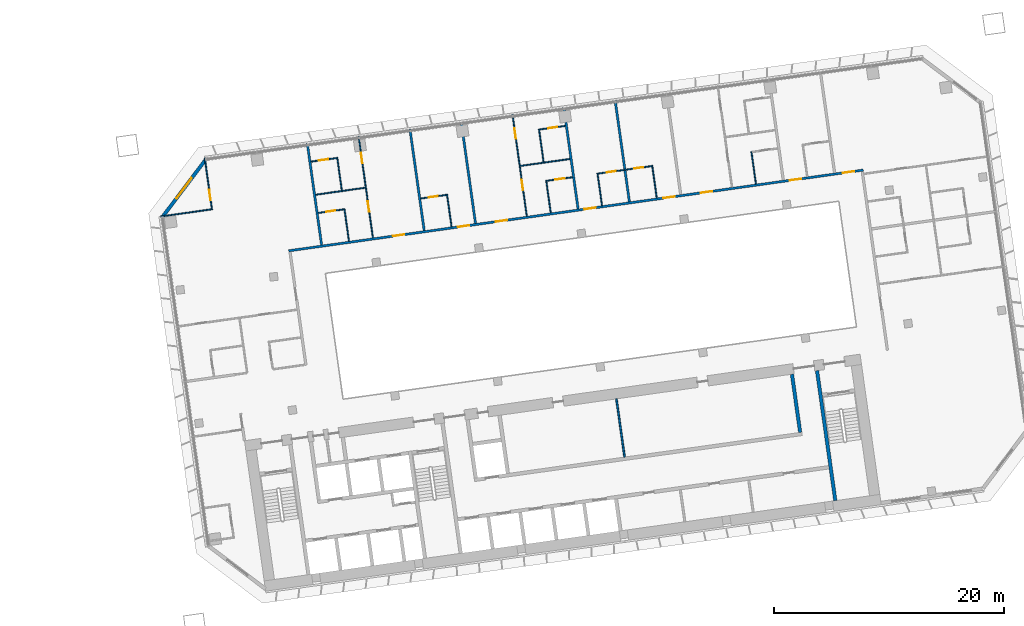
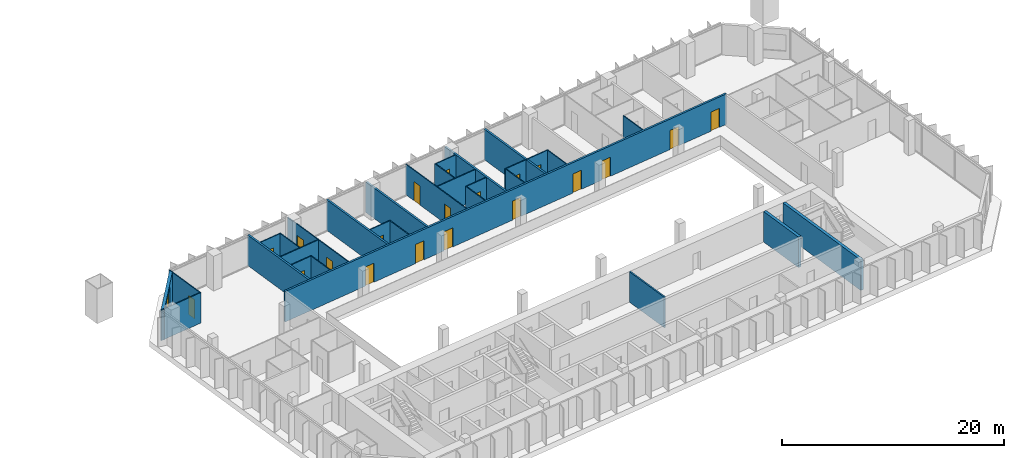
# One storey, part 21 of 25: 30 walls, 20 doors, 1 window, 21 openings.
"""IFC4 building model written with IfcOpenShell, lengths in metres."""

import ifcopenshell
import ifcopenshell.guid

model = None  # the IFC model being written
_history = None  # IfcOwnerHistory: only IFC2X3 demands one
_inside = {}  # id of a spatial element -> (the spatial element, [elements in it])
_under = {}  # id of a project, library or spatial element -> (it, [spatial elements below it])
_declared = {}  # id of a project -> (the project, [libraries it declares])
_typed = {}  # id of a type object -> (the type object, [elements of that type])
_made_of = {}  # id of a material, layer set ... -> (it, [elements and type objects made of it])


def new_model(schema):
    """Start an empty IFC model of exactly this schema.

    Asked for "IFC4X3", IfcOpenShell would pick the latest addendum, in which some entities
    have other attributes; the version numbers below select the first issue.
    IFC2X3 requires an IfcOwnerHistory on every rooted entity: one is made here for all.
    """
    global model, _history
    if schema == "IFC4X3":
        model = ifcopenshell.file(schema_version=(4, 3, 0, 0))
    else:
        model = ifcopenshell.file(schema=schema)
    _inside.clear()
    _under.clear()
    _declared.clear()
    _typed.clear()
    _made_of.clear()
    _history = None
    if model.schema == "IFC2X3":
        org = make("IfcOrganization", Name="unknown")
        user = make(
            "IfcPersonAndOrganization",
            ThePerson=make("IfcPerson", FamilyName="unknown"),
            TheOrganization=org,
        )
        app = make(
            "IfcApplication",
            ApplicationDeveloper=org,
            Version="unknown",
            ApplicationFullName="unknown",
            ApplicationIdentifier="unknown",
        )
        _history = make(
            "IfcOwnerHistory",
            OwningUser=user,
            OwningApplication=app,
            ChangeAction="ADDED",
            CreationDate=0,
        )
    return model


def make(cls, **values):
    """One entity of the class cls with the attributes given. An attribute that is None is left unset."""
    return model.create_entity(
        cls, **{name: value for name, value in values.items() if value is not None}
    )


def rooted(cls, **values):
    """An entity with a GlobalId (a new one), such as an element, a storey or a relation."""
    return make(cls, GlobalId=ifcopenshell.guid.new(), OwnerHistory=_history, **values)


def si_unit(unit_type, name, prefix=None):
    """IfcSIUnit, for example si_unit("LENGTHUNIT", "METRE", prefix="MILLI")."""
    return make("IfcSIUnit", UnitType=unit_type, Prefix=prefix, Name=name)


def assignment(units):
    """IfcUnitAssignment: the units of a project."""
    return None if units is None else make("IfcUnitAssignment", Units=units)


def point(xyz):
    """IfcCartesianPoint."""
    return None if xyz is None else make("IfcCartesianPoint", Coordinates=xyz)


def direction(xyz):
    """IfcDirection."""
    return None if xyz is None else make("IfcDirection", DirectionRatios=xyz)


def frame(location, z_axis=None, x_axis=None):
    """IfcAxis2Placement3D, a coordinate frame: its origin and axes. An axis left out is left unset."""
    return make(
        "IfcAxis2Placement3D",
        Location=point(location),
        Axis=direction(z_axis),
        RefDirection=direction(x_axis),
    )


def frame_2d(location, x_axis=None):
    """IfcAxis2Placement2D, a coordinate frame in the plane: its origin and x axis."""
    return make(
        "IfcAxis2Placement2D", Location=point(location), RefDirection=direction(x_axis)
    )


def origin():
    """The frame at (0, 0, 0) with its axes left unset."""
    return frame((0.0, 0.0, 0.0))


def place(relative_to, where):
    """IfcLocalPlacement: puts the frame where relative to a parent placement (None: the world)."""
    return make(
        "IfcLocalPlacement", PlacementRelTo=relative_to, RelativePlacement=where
    )


def context(
    kind, dimensions, precision=None, world=None, true_north=None, identifier=None
):
    """IfcGeometricRepresentationContext, for example the 3D "Model" context."""
    return make(
        "IfcGeometricRepresentationContext",
        ContextIdentifier=identifier,
        ContextType=kind,
        CoordinateSpaceDimension=dimensions,
        Precision=precision,
        WorldCoordinateSystem=world,
        TrueNorth=true_north,
    )


def subcontext(parent, identifier, kind, view, scale=None):
    """IfcGeometricRepresentationSubContext, for example "Body" below "Model"."""
    return make(
        "IfcGeometricRepresentationSubContext",
        ContextIdentifier=identifier,
        ContextType=kind,
        ParentContext=parent,
        TargetScale=scale,
        TargetView=view,
    )


def project(units=None, contexts=None):
    """IfcProject with its units and contexts."""
    return rooted(
        "IfcProject",
        Name="project",
        RepresentationContexts=contexts,
        UnitsInContext=assignment(units),
    )


def spatial(cls, under=None, at=None, **own):
    """A site, building, storey or space (cls), placed at a placement, below another one or the project."""
    s = rooted(cls, ObjectPlacement=at, **own)
    if under is not None:
        _under.setdefault(under.id(), (under, []))[1].append(s)
    return s


def profile(cls, at=None, kind="AREA", **sizes):
    """A parametric profile (cls). Its sizes go by their IFC names, for example OverallWidth=200.0."""
    return make(cls, ProfileType=kind, Position=at, **sizes)


def rectangle(**sizes):
    """IfcRectangleProfileDef."""
    return profile("IfcRectangleProfileDef", **sizes)


def extrude(swept, where, along, depth):
    """IfcExtrudedAreaSolid: the profile swept, set in the frame where, extruded along a direction by depth."""
    return make(
        "IfcExtrudedAreaSolid",
        SweptArea=swept,
        Position=where,
        ExtrudedDirection=direction(along),
        Depth=depth,
    )


def shape(context_of_items, identifier, shape_type, items):
    """IfcShapeRepresentation: the items that make up one representation, for example the "Body"."""
    return make(
        "IfcShapeRepresentation",
        ContextOfItems=context_of_items,
        RepresentationIdentifier=identifier,
        RepresentationType=shape_type,
        Items=items,
    )


def material(Name=None, Category=None):
    """IfcMaterial."""
    return make("IfcMaterial", Name=Name, Category=Category)


def layer(
    of_material, thickness, ventilated=None, Name=None, Category=None, Priority=None
):
    """IfcMaterialLayer: one layer of a wall or slab, of a material (None: an air gap)."""
    return make(
        "IfcMaterialLayer",
        Material=of_material,
        LayerThickness=thickness,
        IsVentilated=ventilated,
        Name=Name,
        Category=Category,
        Priority=Priority,
    )


def layer_set(layers, Name=None):
    """IfcMaterialLayerSet."""
    return make("IfcMaterialLayerSet", MaterialLayers=layers, LayerSetName=Name)


def made_of(thing, what):
    """Note that an element or type object is made of a material, layer set ...; save() writes the relation."""
    if what is not None:
        _made_of.setdefault(what.id(), (what, []))[1].append(thing)
    return thing


def type_object(cls, material=None, **own):
    """A type object (cls), such as IfcWallType, which elements share."""
    return made_of(rooted(cls, **own), material)


def element(
    cls,
    number,
    at=None,
    inside=None,
    cuts=None,
    type_object=None,
    material=None,
    context=None,
    identifier="Body",
    shape_type=None,
    held_by="IfcProductDefinitionShape",
    body=None,
    shapes=None,
    **own,
):
    """One element of the class cls, such as IfcWall. Its Tag is "e" and its number.

    at: its placement. inside: the storey or other place that contains it. cuts: it is an
    opening in that element (IfcRelVoidsElement). A single representation is given by context,
    identifier, shape_type and body (its items); several are given by shapes. held_by: the class
    of the entity that holds the representations. save() writes the other relations.
    """
    e = rooted(cls, Tag="e%d" % number, ObjectPlacement=at, **own)
    if body is not None:
        shapes = [shape(context, identifier, shape_type, body)]
    if shapes is not None:
        e.Representation = make(held_by, Representations=shapes)
    if inside is not None:
        _inside.setdefault(inside.id(), (inside, []))[1].append(e)
    if cuts is not None:
        rooted(
            "IfcRelVoidsElement", RelatingBuildingElement=cuts, RelatedOpeningElement=e
        )
    if type_object is not None:
        _typed.setdefault(type_object.id(), (type_object, []))[1].append(e)
    return made_of(e, material)


def fill(opening, filler):
    """IfcRelFillsElement: the door or window that sits in an opening."""
    return rooted(
        "IfcRelFillsElement",
        RelatingOpeningElement=opening,
        RelatedBuildingElement=filler,
    )


def aggregate(whole, parts):
    """IfcRelAggregates: a whole, such as a stair, and the parts it consists of."""
    return rooted("IfcRelAggregates", RelatingObject=whole, RelatedObjects=parts)


def save(model, path):
    """Write the relations noted so far, then the file.

    IfcRelAggregates (storeys below a building ...), IfcRelContainedInSpatialStructure (elements
    in a storey), IfcRelDefinesByType, IfcRelAssociatesMaterial and IfcRelDeclares: one each for
    every whole, place, type object, material and project.
    """
    for whole, parts in _under.values():
        aggregate(whole, parts)
    for where, things in _inside.values():
        rooted(
            "IfcRelContainedInSpatialStructure",
            RelatedElements=things,
            RelatingStructure=where,
        )
    for kind, things in _typed.values():
        rooted("IfcRelDefinesByType", RelatedObjects=things, RelatingType=kind)
    for what, things in _made_of.values():
        rooted("IfcRelAssociatesMaterial", RelatedObjects=things, RelatingMaterial=what)
    for by, libraries in _declared.values():
        rooted("IfcRelDeclares", RelatingContext=by, RelatedDefinitions=libraries)
    model.write(path)


model = new_model("IFC4")

# Units and contexts
model_context = context("Model", 3, precision=1e-05, world=origin(), true_north=direction((0.0, 1.0)))
body_context = subcontext(model_context, "Body", "Model", "MODEL_VIEW")
ifc_project = project(units=[si_unit("LENGTHUNIT", "METRE"), si_unit("AREAUNIT", "SQUARE_METRE"), si_unit("VOLUMEUNIT", "CUBIC_METRE"), si_unit("PLANEANGLEUNIT", "RADIAN"), si_unit("MASSUNIT", "GRAM", prefix="KILO")], contexts=[model_context])

# Site, building, storey
site_placement = place(None, origin())
site = spatial("IfcSite", under=ifc_project, at=site_placement, CompositionType="ELEMENT")
building_placement = place(site_placement, origin())
building = spatial("IfcBuilding", under=site, at=building_placement, Name="Mirante Cascada Hotel Towers", CompositionType="ELEMENT")
storey_placement = place(building_placement, frame((0.0, 0.0, 54.7)))
storey = spatial("IfcBuildingStorey", under=building, at=storey_placement, Name="L10", CompositionType="ELEMENT", Elevation=54.7)

# Wall, openings, doors
ifc_material_1 = material(Name="Fire-rated plasterboard on metal studs")
ifc_layer_1 = layer(ifc_material_1, 0.2)
ifc_layer_set_1 = layer_set([ifc_layer_1], Name="Compartment wall 200 EI 120")
wall_type_1 = type_object("IfcWallType", Name="Compartment wall 200 EI 120", PredefinedType="PARTITIONING", material=ifc_layer_set_1)
wall_1_placement = place(storey_placement, frame((39.1051, 9.3779, 0.0), z_axis=(0.0, 0.0, 1.0), x_axis=(0.9902681, 0.1391727, 0.0)))
wall_1 = element("IfcWall", 1, at=wall_1_placement, inside=storey, type_object=wall_type_1, Name="Wall 2-L10-17", PredefinedType="PARTITIONING", context=body_context, shape_type="SweptSolid", body=[
    extrude(rectangle(XDim=50.4, YDim=0.2, at=frame_2d((25.2, 0.0))), origin(), (0.0, 0.0, 1.0), 3.35),
])
opening_1_placement = place(wall_1_placement, frame((9.15, 0.0, 0.0)))
opening_1 = element("IfcOpeningElement", 2, at=opening_1_placement, cuts=wall_1, Name="Opening D2-L10-08", PredefinedType="OPENING", context=body_context, shape_type="SweptSolid", body=[
    extrude(rectangle(XDim=1.0, YDim=2.1, at=frame_2d((0.5, 1.05))), frame((0.0, 0.1, 0.0), z_axis=(0.0, -1.0, 0.0), x_axis=(1.0, 0.0, 0.0)), (0.0, 0.0, 1.0), 0.2),
])
opening_2_placement = place(wall_1_placement, frame((14.85, 0.0, 0.0)))
opening_2 = element("IfcOpeningElement", 3, at=opening_2_placement, cuts=wall_1, Name="Opening D2-L10-09", PredefinedType="OPENING", context=body_context, shape_type="SweptSolid", body=[
    extrude(rectangle(XDim=1.0, YDim=2.1, at=frame_2d((0.5, 1.05))), frame((0.0, 0.1, 0.0), z_axis=(0.0, -1.0, 0.0), x_axis=(1.0, 0.0, 0.0)), (0.0, 0.0, 1.0), 0.2),
])
opening_3_placement = place(wall_1_placement, frame((18.15, 0.0, 0.0)))
opening_3 = element("IfcOpeningElement", 4, at=opening_3_placement, cuts=wall_1, Name="Opening D2-L10-10", PredefinedType="OPENING", context=body_context, shape_type="SweptSolid", body=[
    extrude(rectangle(XDim=1.0, YDim=2.1, at=frame_2d((0.5, 1.05))), frame((0.0, 0.1, 0.0), z_axis=(0.0, -1.0, 0.0), x_axis=(1.0, 0.0, 0.0)), (0.0, 0.0, 1.0), 0.2),
])
opening_4_placement = place(wall_1_placement, frame((25.95, 0.0, 0.0)))
opening_4 = element("IfcOpeningElement", 5, at=opening_4_placement, cuts=wall_1, Name="Opening D2-L10-11", PredefinedType="OPENING", context=body_context, shape_type="SweptSolid", body=[
    extrude(rectangle(XDim=1.0, YDim=2.1, at=frame_2d((0.5, 1.05))), frame((0.0, 0.1, 0.0), z_axis=(0.0, -1.0, 0.0), x_axis=(1.0, 0.0, 0.0)), (0.0, 0.0, 1.0), 0.2),
])
opening_5_placement = place(wall_1_placement, frame((32.85, 0.0, 0.0)))
opening_5 = element("IfcOpeningElement", 6, at=opening_5_placement, cuts=wall_1, Name="Opening D2-L10-12", PredefinedType="OPENING", context=body_context, shape_type="SweptSolid", body=[
    extrude(rectangle(XDim=1.0, YDim=2.1, at=frame_2d((0.5, 1.05))), frame((0.0, 0.1, 0.0), z_axis=(0.0, -1.0, 0.0), x_axis=(1.0, 0.0, 0.0)), (0.0, 0.0, 1.0), 0.2),
])
opening_6_placement = place(wall_1_placement, frame((36.15, 0.0, 0.0)))
opening_6 = element("IfcOpeningElement", 7, at=opening_6_placement, cuts=wall_1, Name="Opening D2-L10-13", PredefinedType="OPENING", context=body_context, shape_type="SweptSolid", body=[
    extrude(rectangle(XDim=1.0, YDim=2.1, at=frame_2d((0.5, 1.05))), frame((0.0, 0.1, 0.0), z_axis=(0.0, -1.0, 0.0), x_axis=(1.0, 0.0, 0.0)), (0.0, 0.0, 1.0), 0.2),
])
opening_7_placement = place(wall_1_placement, frame((43.95, 0.0, 0.0)))
opening_7 = element("IfcOpeningElement", 8, at=opening_7_placement, cuts=wall_1, Name="Opening D2-L10-14", PredefinedType="OPENING", context=body_context, shape_type="SweptSolid", body=[
    extrude(rectangle(XDim=1.0, YDim=2.1, at=frame_2d((0.5, 1.05))), frame((0.0, 0.1, 0.0), z_axis=(0.0, -1.0, 0.0), x_axis=(1.0, 0.0, 0.0)), (0.0, 0.0, 1.0), 0.2),
])
opening_8_placement = place(wall_1_placement, frame((48.6, 0.0, 0.0)))
opening_8 = element("IfcOpeningElement", 9, at=opening_8_placement, cuts=wall_1, Name="Opening D2-L10-15", PredefinedType="OPENING", context=body_context, shape_type="SweptSolid", body=[
    extrude(rectangle(XDim=1.0, YDim=2.1, at=frame_2d((0.5, 1.05))), frame((0.0, 0.1, 0.0), z_axis=(0.0, -1.0, 0.0), x_axis=(1.0, 0.0, 0.0)), (0.0, 0.0, 1.0), 0.2),
])
ifc_material_2 = material(Name="Fire-rated timber door leaf", Category="wood")
door_type_1 = type_object("IfcDoorType", Name="Entrance door DG1 1000x2100 EI 60", OperationType="SINGLE_SWING_LEFT", PredefinedType="DOOR", material=ifc_material_2)
door_1_placement = place(opening_1_placement, origin())
door_1 = element("IfcDoor", 10, at=door_1_placement, inside=storey, type_object=door_type_1, Name="Door D2-L10-08", OperationType="SINGLE_SWING_LEFT", OverallHeight=2.1, OverallWidth=1.0, PredefinedType="DOOR", context=body_context, shape_type="SweptSolid", body=[
    extrude(rectangle(XDim=1.0, YDim=2.1, at=frame_2d((0.5, 1.05))), frame((0.0, 0.025, 0.0), z_axis=(0.0, -1.0, 0.0), x_axis=(1.0, 0.0, 0.0)), (0.0, 0.0, 1.0), 0.05),
])
fill(opening_1, door_1)
door_2_placement = place(opening_2_placement, origin())
door_2 = element("IfcDoor", 11, at=door_2_placement, inside=storey, type_object=door_type_1, Name="Door D2-L10-09", OperationType="SINGLE_SWING_LEFT", OverallHeight=2.1, OverallWidth=1.0, PredefinedType="DOOR", context=body_context, shape_type="SweptSolid", body=[
    extrude(rectangle(XDim=1.0, YDim=2.1, at=frame_2d((0.5, 1.05))), frame((0.0, 0.025, 0.0), z_axis=(0.0, -1.0, 0.0), x_axis=(1.0, 0.0, 0.0)), (0.0, 0.0, 1.0), 0.05),
])
fill(opening_2, door_2)
door_3_placement = place(opening_3_placement, origin())
door_3 = element("IfcDoor", 12, at=door_3_placement, inside=storey, type_object=door_type_1, Name="Door D2-L10-10", OperationType="SINGLE_SWING_LEFT", OverallHeight=2.1, OverallWidth=1.0, PredefinedType="DOOR", context=body_context, shape_type="SweptSolid", body=[
    extrude(rectangle(XDim=1.0, YDim=2.1, at=frame_2d((0.5, 1.05))), frame((0.0, 0.025, 0.0), z_axis=(0.0, -1.0, 0.0), x_axis=(1.0, 0.0, 0.0)), (0.0, 0.0, 1.0), 0.05),
])
fill(opening_3, door_3)
door_4_placement = place(opening_4_placement, origin())
door_4 = element("IfcDoor", 13, at=door_4_placement, inside=storey, type_object=door_type_1, Name="Door D2-L10-11", OperationType="SINGLE_SWING_LEFT", OverallHeight=2.1, OverallWidth=1.0, PredefinedType="DOOR", context=body_context, shape_type="SweptSolid", body=[
    extrude(rectangle(XDim=1.0, YDim=2.1, at=frame_2d((0.5, 1.05))), frame((0.0, 0.025, 0.0), z_axis=(0.0, -1.0, 0.0), x_axis=(1.0, 0.0, 0.0)), (0.0, 0.0, 1.0), 0.05),
])
fill(opening_4, door_4)
door_5_placement = place(opening_5_placement, origin())
door_5 = element("IfcDoor", 14, at=door_5_placement, inside=storey, type_object=door_type_1, Name="Door D2-L10-12", OperationType="SINGLE_SWING_LEFT", OverallHeight=2.1, OverallWidth=1.0, PredefinedType="DOOR", context=body_context, shape_type="SweptSolid", body=[
    extrude(rectangle(XDim=1.0, YDim=2.1, at=frame_2d((0.5, 1.05))), frame((0.0, 0.025, 0.0), z_axis=(0.0, -1.0, 0.0), x_axis=(1.0, 0.0, 0.0)), (0.0, 0.0, 1.0), 0.05),
])
fill(opening_5, door_5)
door_6_placement = place(opening_6_placement, origin())
door_6 = element("IfcDoor", 15, at=door_6_placement, inside=storey, type_object=door_type_1, Name="Door D2-L10-13", OperationType="SINGLE_SWING_LEFT", OverallHeight=2.1, OverallWidth=1.0, PredefinedType="DOOR", context=body_context, shape_type="SweptSolid", body=[
    extrude(rectangle(XDim=1.0, YDim=2.1, at=frame_2d((0.5, 1.05))), frame((0.0, 0.025, 0.0), z_axis=(0.0, -1.0, 0.0), x_axis=(1.0, 0.0, 0.0)), (0.0, 0.0, 1.0), 0.05),
])
fill(opening_6, door_6)
door_7_placement = place(opening_7_placement, origin())
door_7 = element("IfcDoor", 16, at=door_7_placement, inside=storey, type_object=door_type_1, Name="Door D2-L10-14", OperationType="SINGLE_SWING_LEFT", OverallHeight=2.1, OverallWidth=1.0, PredefinedType="DOOR", context=body_context, shape_type="SweptSolid", body=[
    extrude(rectangle(XDim=1.0, YDim=2.1, at=frame_2d((0.5, 1.05))), frame((0.0, 0.025, 0.0), z_axis=(0.0, -1.0, 0.0), x_axis=(1.0, 0.0, 0.0)), (0.0, 0.0, 1.0), 0.05),
])
fill(opening_7, door_7)
door_8_placement = place(opening_8_placement, origin())
door_8 = element("IfcDoor", 17, at=door_8_placement, inside=storey, type_object=door_type_1, Name="Door D2-L10-15", OperationType="SINGLE_SWING_LEFT", OverallHeight=2.1, OverallWidth=1.0, PredefinedType="DOOR", context=body_context, shape_type="SweptSolid", body=[
    extrude(rectangle(XDim=1.0, YDim=2.1, at=frame_2d((0.5, 1.05))), frame((0.0, 0.025, 0.0), z_axis=(0.0, -1.0, 0.0), x_axis=(1.0, 0.0, 0.0)), (0.0, 0.0, 1.0), 0.05),
])
fill(opening_8, door_8)

# Walls
for number, where, z_axis, x_axis, name in (
    (18, (40.7243, 18.6939, 0.0), (0.0, 0.0, 1.0), (0.1391794, -0.9902672, 0.0), "Wall 2-L10-38"),
    (19, (49.6367, 19.9465, 0.0), (0.0, 0.0, 1.0), (0.1391794, -0.9902672, 0.0), "Wall 2-L10-42"),
    (20, (54.0929, 20.5728, 0.0), (0.0, 0.0, 1.0), (0.1391794, -0.9902672, 0.0), "Wall 2-L10-44"),
    (21, (63.0054, 21.8253, 0.0), (0.0, 0.0, 1.0), (0.1391684, -0.9902687, 0.0), "Wall 2-L10-48"),
    (22, (67.4616, 22.4516, 0.0), (0.0, 0.0, 1.0), (0.1391684, -0.9902687, 0.0), "Wall 2-L10-50"),
):
    element("IfcWall", number, at=place(storey_placement, frame(where, z_axis=z_axis, x_axis=x_axis)), inside=storey, type_object=wall_type_1, Name=name, PredefinedType="PARTITIONING", context=body_context, shape_type="SweptSolid", body=[
        extrude(rectangle(XDim=8.9, YDim=0.2, at=frame_2d((4.45, 0.0))), origin(), (0.0, 0.0, 1.0), 3.35),
    ])
ifc_material_3 = material(Name="Masonry block", Category="masonry")
ifc_layer_2 = layer(ifc_material_3, 0.15)
ifc_layer_set_2 = layer_set([ifc_layer_2], Name="Core room partition 150 block EI 30")
wall_type_2 = type_object("IfcWallType", Name="Core room partition 150 block EI 30", PredefinedType="PARTITIONING", material=ifc_layer_set_2)
wall_2_placement = place(storey_placement, frame((68.2822, -8.5358, 0.0), z_axis=(0.0, 0.0, 1.0), x_axis=(-0.1391755, 0.9902677, 0.0)))
element("IfcWall", 23, at=wall_2_placement, inside=storey, type_object=wall_type_2, Name="Core wall partition T2 L10 7", PredefinedType="PARTITIONING", context=body_context, shape_type="SweptSolid", body=[
    extrude(rectangle(XDim=5.1, YDim=0.15, at=frame_2d((2.55, 0.0))), origin(), (0.0, 0.0, 1.0), 3.35),
])

# Wall, opening, door
ifc_material_4 = material(Name="Plasterboard on metal studs")
ifc_layer_3 = layer(ifc_material_4, 0.1)
ifc_layer_set_3 = layer_set([ifc_layer_3], Name="Partition 100")
wall_type_3 = type_object("IfcWallType", Name="Partition 100", PredefinedType="PARTITIONING", material=ifc_layer_set_3)
wall_3_placement = place(storey_placement, frame((43.9004, 12.9804, 0.0), z_axis=(0.0, 0.0, 1.0), x_axis=(-0.9902643, -0.1391997, 0.0)))
wall_3 = element("IfcWall", 24, at=wall_3_placement, inside=storey, type_object=wall_type_3, Name="Wall 2-L10-18", PredefinedType="PARTITIONING", context=body_context, shape_type="SweptSolid", body=[
    extrude(rectangle(XDim=2.25, YDim=0.1, at=frame_2d((1.125, 0.0))), origin(), (0.0, 0.0, 1.0), 3.35),
])
opening_9_placement = place(wall_3_placement, frame((0.75, 0.0, 0.0)))
opening_9 = element("IfcOpeningElement", 25, at=opening_9_placement, cuts=wall_3, Name="Opening D2-L10-16", PredefinedType="OPENING", context=body_context, shape_type="SweptSolid", body=[
    extrude(rectangle(XDim=0.8, YDim=2.1, at=frame_2d((0.4, 1.05))), frame((0.0, 0.05, 0.0), z_axis=(0.0, -1.0, 0.0), x_axis=(1.0, 0.0, 0.0)), (0.0, 0.0, 1.0), 0.1),
])
ifc_material_5 = material(Name="Timber door leaf", Category="wood")
door_type_2 = type_object("IfcDoorType", Name="Bathroom door DG4 800x2100", OperationType="SINGLE_SWING_LEFT", PredefinedType="DOOR", material=ifc_material_5)
door_9_placement = place(opening_9_placement, origin())
door_9 = element("IfcDoor", 26, at=door_9_placement, inside=storey, type_object=door_type_2, Name="Door D2-L10-16", OperationType="SINGLE_SWING_LEFT", OverallHeight=2.1, OverallWidth=0.8, PredefinedType="DOOR", context=body_context, shape_type="SweptSolid", body=[
    extrude(rectangle(XDim=0.8, YDim=2.1, at=frame_2d((0.4, 1.05))), frame((0.0, 0.025, 0.0), z_axis=(0.0, -1.0, 0.0), x_axis=(1.0, 0.0, 0.0)), (0.0, 0.0, 1.0), 0.05),
])
fill(opening_9, door_9)

wall_4_placement = place(storey_placement, frame((50.5847, 13.9198, 0.0), z_axis=(0.0, 0.0, 1.0), x_axis=(0.9902705, 0.1391561, 0.0)))
wall_4 = element("IfcWall", 27, at=wall_4_placement, inside=storey, type_object=wall_type_3, Name="Wall 2-L10-19", PredefinedType="PARTITIONING", context=body_context, shape_type="SweptSolid", body=[
    extrude(rectangle(XDim=2.25, YDim=0.1, at=frame_2d((1.125, 0.0))), origin(), (0.0, 0.0, 1.0), 3.35),
])
opening_10_placement = place(wall_4_placement, frame((0.7, 0.0, 0.0)))
opening_10 = element("IfcOpeningElement", 28, at=opening_10_placement, cuts=wall_4, Name="Opening D2-L10-17", PredefinedType="OPENING", context=body_context, shape_type="SweptSolid", body=[
    extrude(rectangle(XDim=0.8, YDim=2.1, at=frame_2d((0.4, 1.05))), frame((0.0, 0.05, 0.0), z_axis=(0.0, -1.0, 0.0), x_axis=(1.0, 0.0, 0.0)), (0.0, 0.0, 1.0), 0.1),
])
door_10_placement = place(opening_10_placement, origin())
door_10 = element("IfcDoor", 29, at=door_10_placement, inside=storey, type_object=door_type_2, Name="Door D2-L10-17", OperationType="SINGLE_SWING_LEFT", OverallHeight=2.1, OverallWidth=0.8, PredefinedType="DOOR", context=body_context, shape_type="SweptSolid", body=[
    extrude(rectangle(XDim=0.8, YDim=2.1, at=frame_2d((0.4, 1.05))), frame((0.0, 0.025, 0.0), z_axis=(0.0, -1.0, 0.0), x_axis=(1.0, 0.0, 0.0)), (0.0, 0.0, 1.0), 0.05),
])
fill(opening_10, door_10)

wall_5_placement = place(storey_placement, frame((63.7553, 15.7708, 0.0), z_axis=(0.0, 0.0, 1.0), x_axis=(-0.9902643, -0.1391997, 0.0)))
wall_5 = element("IfcWall", 30, at=wall_5_placement, inside=storey, type_object=wall_type_3, Name="Wall 2-L10-20", PredefinedType="PARTITIONING", context=body_context, shape_type="SweptSolid", body=[
    extrude(rectangle(XDim=2.25, YDim=0.1, at=frame_2d((1.125, 0.0))), origin(), (0.0, 0.0, 1.0), 3.35),
])
opening_11_placement = place(wall_5_placement, frame((0.7, 0.0, 0.0)))
opening_11 = element("IfcOpeningElement", 31, at=opening_11_placement, cuts=wall_5, Name="Opening D2-L10-18", PredefinedType="OPENING", context=body_context, shape_type="SweptSolid", body=[
    extrude(rectangle(XDim=0.8, YDim=2.1, at=frame_2d((0.4, 1.05))), frame((0.0, 0.05, 0.0), z_axis=(0.0, -1.0, 0.0), x_axis=(1.0, 0.0, 0.0)), (0.0, 0.0, 1.0), 0.1),
])
door_11_placement = place(opening_11_placement, origin())
door_11 = element("IfcDoor", 32, at=door_11_placement, inside=storey, type_object=door_type_2, Name="Door D2-L10-18", OperationType="SINGLE_SWING_LEFT", OverallHeight=2.1, OverallWidth=0.8, PredefinedType="DOOR", context=body_context, shape_type="SweptSolid", body=[
    extrude(rectangle(XDim=0.8, YDim=2.1, at=frame_2d((0.4, 1.05))), frame((0.0, 0.025, 0.0), z_axis=(0.0, -1.0, 0.0), x_axis=(1.0, 0.0, 0.0)), (0.0, 0.0, 1.0), 0.05),
])
fill(opening_11, door_11)

# Wall, openings, doors
wall_6_placement = place(storey_placement, frame((65.8844, 16.07, 0.0), z_axis=(0.0, 0.0, 1.0), x_axis=(0.9902694, 0.1391638, 0.0)))
wall_6 = element("IfcWall", 33, at=wall_6_placement, inside=storey, type_object=wall_type_3, Name="Wall 2-L10-21", PredefinedType="PARTITIONING", context=body_context, shape_type="SweptSolid", body=[
    extrude(rectangle(XDim=4.9, YDim=0.1, at=frame_2d((2.45, 0.0))), origin(), (0.0, 0.0, 1.0), 3.35),
])
opening_12_placement = place(wall_6_placement, frame((0.85, 0.0, 0.0)))
opening_12 = element("IfcOpeningElement", 34, at=opening_12_placement, cuts=wall_6, Name="Opening D2-L10-19", PredefinedType="OPENING", context=body_context, shape_type="SweptSolid", body=[
    extrude(rectangle(XDim=0.8, YDim=2.1, at=frame_2d((0.4, 1.05))), frame((0.0, 0.05, 0.0), z_axis=(0.0, -1.0, 0.0), x_axis=(1.0, 0.0, 0.0)), (0.0, 0.0, 1.0), 0.1),
])
opening_13_placement = place(wall_6_placement, frame((3.25, 0.0, 0.0)))
opening_13 = element("IfcOpeningElement", 35, at=opening_13_placement, cuts=wall_6, Name="Opening D2-L10-20", PredefinedType="OPENING", context=body_context, shape_type="SweptSolid", body=[
    extrude(rectangle(XDim=0.8, YDim=2.1, at=frame_2d((0.4, 1.05))), frame((0.0, 0.05, 0.0), z_axis=(0.0, -1.0, 0.0), x_axis=(1.0, 0.0, 0.0)), (0.0, 0.0, 1.0), 0.1),
])
door_12_placement = place(opening_12_placement, origin())
door_12 = element("IfcDoor", 36, at=door_12_placement, inside=storey, type_object=door_type_2, Name="Door D2-L10-19", OperationType="SINGLE_SWING_LEFT", OverallHeight=2.1, OverallWidth=0.8, PredefinedType="DOOR", context=body_context, shape_type="SweptSolid", body=[
    extrude(rectangle(XDim=0.8, YDim=2.1, at=frame_2d((0.4, 1.05))), frame((0.0, 0.025, 0.0), z_axis=(0.0, -1.0, 0.0), x_axis=(1.0, 0.0, 0.0)), (0.0, 0.0, 1.0), 0.05),
])
fill(opening_12, door_12)
door_13_placement = place(opening_13_placement, origin())
door_13 = element("IfcDoor", 37, at=door_13_placement, inside=storey, type_object=door_type_2, Name="Door D2-L10-20", OperationType="SINGLE_SWING_LEFT", OverallHeight=2.1, OverallWidth=0.8, PredefinedType="DOOR", context=body_context, shape_type="SweptSolid", body=[
    extrude(rectangle(XDim=0.8, YDim=2.1, at=frame_2d((0.4, 1.05))), frame((0.0, 0.025, 0.0), z_axis=(0.0, -1.0, 0.0), x_axis=(1.0, 0.0, 0.0)), (0.0, 0.0, 1.0), 0.05),
])
fill(opening_13, door_13)

# Walls
wall_7_placement = place(storey_placement, frame((32.4877, 12.9921, 0.0), z_axis=(0.0, 0.0, 1.0), x_axis=(-0.9902691, -0.1391656, 0.0)))
element("IfcWall", 38, at=wall_7_placement, inside=storey, type_object=wall_type_3, Name="Wall 2-L10-24", PredefinedType="PARTITIONING", context=body_context, shape_type="SweptSolid", body=[
    extrude(rectangle(XDim=4.55, YDim=0.1, at=frame_2d((2.275, 0.0))), origin(), (0.0, 0.0, 1.0), 3.35),
])
for number, where, z_axis, x_axis, name in (
    (39, (41.4496, 14.2516, 0.0), (0.0, 0.0, 1.0), (0.9902683, 0.1391714, 0.0), "Wall 2-L10-25"),
    (40, (63.5326, 17.3552, 0.0), (0.0, 0.0, 1.0), (-0.9902683, -0.1391714, 0.0), "Wall 2-L10-26"),
):
    element("IfcWall", number, at=place(storey_placement, frame(where, z_axis=z_axis, x_axis=x_axis)), inside=storey, type_object=wall_type_3, Name=name, PredefinedType="PARTITIONING", context=body_context, shape_type="SweptSolid", body=[
        extrude(rectangle(XDim=4.35, YDim=0.1, at=frame_2d((2.175, 0.0))), origin(), (0.0, 0.0, 1.0), 3.35),
    ])

# Wall, opening, door
wall_8_placement = place(storey_placement, frame((43.2741, 17.4366, 0.0), z_axis=(0.0, 0.0, 1.0), x_axis=(-0.9902643, -0.1391997, 0.0)))
wall_8 = element("IfcWall", 41, at=wall_8_placement, inside=storey, type_object=wall_type_3, Name="Wall 2-L10-28", PredefinedType="PARTITIONING", context=body_context, shape_type="SweptSolid", body=[
    extrude(rectangle(XDim=2.25, YDim=0.1, at=frame_2d((1.125, 0.0))), origin(), (0.0, 0.0, 1.0), 3.35),
])
opening_14_placement = place(wall_8_placement, frame((0.75, 0.0, 0.0)))
opening_14 = element("IfcOpeningElement", 42, at=opening_14_placement, cuts=wall_8, Name="Opening D2-L10-23", PredefinedType="OPENING", context=body_context, shape_type="SweptSolid", body=[
    extrude(rectangle(XDim=0.8, YDim=2.1, at=frame_2d((0.4, 1.05))), frame((0.0, 0.05, 0.0), z_axis=(0.0, -1.0, 0.0), x_axis=(1.0, 0.0, 0.0)), (0.0, 0.0, 1.0), 0.1),
])
door_14_placement = place(opening_14_placement, origin())
door_14 = element("IfcDoor", 43, at=door_14_placement, inside=storey, type_object=door_type_2, Name="Door D2-L10-23", OperationType="SINGLE_SWING_LEFT", OverallHeight=2.1, OverallWidth=0.8, PredefinedType="DOOR", context=body_context, shape_type="SweptSolid", body=[
    extrude(rectangle(XDim=0.8, YDim=2.1, at=frame_2d((0.4, 1.05))), frame((0.0, 0.025, 0.0), z_axis=(0.0, -1.0, 0.0), x_axis=(1.0, 0.0, 0.0)), (0.0, 0.0, 1.0), 0.05),
])
fill(opening_14, door_14)

wall_9_placement = place(storey_placement, frame((60.9009, 19.9138, 0.0), z_axis=(0.0, 0.0, 1.0), x_axis=(0.9902643, 0.1391997, 0.0)))
wall_9 = element("IfcWall", 44, at=wall_9_placement, inside=storey, type_object=wall_type_3, Name="Wall 2-L10-29", PredefinedType="PARTITIONING", context=body_context, shape_type="SweptSolid", body=[
    extrude(rectangle(XDim=2.25, YDim=0.1, at=frame_2d((1.125, 0.0))), origin(), (0.0, 0.0, 1.0), 3.35),
])
opening_15_placement = place(wall_9_placement, frame((0.75, 0.0, 0.0)))
opening_15 = element("IfcOpeningElement", 45, at=opening_15_placement, cuts=wall_9, Name="Opening D2-L10-24", PredefinedType="OPENING", context=body_context, shape_type="SweptSolid", body=[
    extrude(rectangle(XDim=0.8, YDim=2.1, at=frame_2d((0.4, 1.05))), frame((0.0, 0.05, 0.0), z_axis=(0.0, -1.0, 0.0), x_axis=(1.0, 0.0, 0.0)), (0.0, 0.0, 1.0), 0.1),
])
door_15_placement = place(opening_15_placement, frame((0.8, 0.0, 0.0), z_axis=(0.0, 0.0, 1.0), x_axis=(-1.0, 0.0, 0.0)))
door_15 = element("IfcDoor", 46, at=door_15_placement, inside=storey, type_object=door_type_2, Name="Door D2-L10-24", OperationType="SINGLE_SWING_RIGHT", OverallHeight=2.1, OverallWidth=0.8, PredefinedType="DOOR", context=body_context, shape_type="SweptSolid", body=[
    extrude(rectangle(XDim=0.8, YDim=2.1, at=frame_2d((0.4, 1.05))), frame((0.0, 0.025, 0.0), z_axis=(0.0, -1.0, 0.0), x_axis=(1.0, 0.0, 0.0)), (0.0, 0.0, 1.0), 0.05),
])
fill(opening_15, door_15)

wall_10_placement = place(storey_placement, frame((31.8119, 17.4414, 0.0), z_axis=(0.0, 0.0, 1.0), x_axis=(0.1391684, -0.9902687, 0.0)))
wall_10 = element("IfcWall", 47, at=wall_10_placement, inside=storey, type_object=wall_type_3, Name="Wall 2-L10-34", PredefinedType="PARTITIONING", context=body_context, shape_type="SweptSolid", body=[
    extrude(rectangle(XDim=4.45, YDim=0.1, at=frame_2d((2.225, 0.0))), origin(), (0.0, 0.0, 1.0), 3.35),
])
opening_16_placement = place(wall_10_placement, frame((2.8, 0.0, 0.0)))
opening_16 = element("IfcOpeningElement", 48, at=opening_16_placement, cuts=wall_10, Name="Opening D2-L10-29", PredefinedType="OPENING", context=body_context, shape_type="SweptSolid", body=[
    extrude(rectangle(XDim=0.9, YDim=2.1, at=frame_2d((0.45, 1.05))), frame((0.0, 0.05, 0.0), z_axis=(0.0, -1.0, 0.0), x_axis=(1.0, 0.0, 0.0)), (0.0, 0.0, 1.0), 0.1),
])
ifc_material_6 = material(Name="Timber door leaf", Category="wood")
door_type_3 = type_object("IfcDoorType", Name="Room door DG3 900x2100", OperationType="SINGLE_SWING_LEFT", PredefinedType="DOOR", material=ifc_material_6)
door_16_placement = place(opening_16_placement, origin())
door_16 = element("IfcDoor", 49, at=door_16_placement, inside=storey, type_object=door_type_3, Name="Door D2-L10-29", OperationType="SINGLE_SWING_LEFT", OverallHeight=2.1, OverallWidth=0.9, PredefinedType="DOOR", context=body_context, shape_type="SweptSolid", body=[
    extrude(rectangle(XDim=0.9, YDim=2.1, at=frame_2d((0.45, 1.05))), frame((0.0, 0.025, 0.0), z_axis=(0.0, -1.0, 0.0), x_axis=(1.0, 0.0, 0.0)), (0.0, 0.0, 1.0), 0.05),
])
fill(opening_16, door_16)

# Walls
wall_11_placement = place(storey_placement, frame((44.3396, 10.2146, 0.0), z_axis=(0.0, 0.0, 1.0), x_axis=(-0.1391613, 0.9902697, 0.0)))
element("IfcWall", 50, at=wall_11_placement, inside=storey, type_object=wall_type_3, Name="Wall 2-L10-39", PredefinedType="PARTITIONING", context=body_context, shape_type="SweptSolid", body=[
    extrude(rectangle(XDim=2.8499, YDim=0.1, at=frame_2d((1.425, 0.0))), origin(), (0.0, 0.0, 1.0), 3.35),
])
wall_12_placement = place(storey_placement, frame((43.3167, 17.493, 0.0), z_axis=(0.0, 0.0, 1.0), x_axis=(0.1391761, -0.9902676, 0.0)))
element("IfcWall", 51, at=wall_12_placement, inside=storey, type_object=wall_type_3, Name="Wall 2-L10-40", PredefinedType="PARTITIONING", context=body_context, shape_type="SweptSolid", body=[
    extrude(rectangle(XDim=2.8999, YDim=0.1, at=frame_2d((1.45, 0.0))), origin(), (0.0, 0.0, 1.0), 3.35),
])

# Wall, openings, doors
wall_13_placement = place(storey_placement, frame((46.4192, 10.5068, 0.0), z_axis=(0.0, 0.0, 1.0), x_axis=(-0.1391794, 0.9902672, 0.0)))
wall_13 = element("IfcWall", 52, at=wall_13_placement, inside=storey, type_object=wall_type_3, Name="Wall 2-L10-41", PredefinedType="PARTITIONING", context=body_context, shape_type="SweptSolid", body=[
    extrude(rectangle(XDim=8.9, YDim=0.1, at=frame_2d((4.45, 0.0))), origin(), (0.0, 0.0, 1.0), 3.35),
])
opening_17_placement = place(wall_13_placement, frame((2.3, 0.0, 0.0)))
opening_17 = element("IfcOpeningElement", 53, at=opening_17_placement, cuts=wall_13, Name="Opening D2-L10-32", PredefinedType="OPENING", context=body_context, shape_type="SweptSolid", body=[
    extrude(rectangle(XDim=0.9, YDim=2.1, at=frame_2d((0.45, 1.05))), frame((0.0, 0.05, 0.0), z_axis=(0.0, -1.0, 0.0), x_axis=(1.0, 0.0, 0.0)), (0.0, 0.0, 1.0), 0.1),
])
opening_18_placement = place(wall_13_placement, frame((6.55, 0.0, 0.0)))
opening_18 = element("IfcOpeningElement", 54, at=opening_18_placement, cuts=wall_13, Name="Opening D2-L10-33", PredefinedType="OPENING", context=body_context, shape_type="SweptSolid", body=[
    extrude(rectangle(XDim=0.9, YDim=2.1, at=frame_2d((0.45, 1.05))), frame((0.0, 0.05, 0.0), z_axis=(0.0, -1.0, 0.0), x_axis=(1.0, 0.0, 0.0)), (0.0, 0.0, 1.0), 0.1),
])
door_17_placement = place(opening_17_placement, frame((0.9, 0.0, 0.0), z_axis=(0.0, 0.0, 1.0), x_axis=(-1.0, 0.0, 0.0)))
door_17 = element("IfcDoor", 55, at=door_17_placement, inside=storey, type_object=door_type_3, Name="Door D2-L10-32", OperationType="SINGLE_SWING_RIGHT", OverallHeight=2.1, OverallWidth=0.9, PredefinedType="DOOR", context=body_context, shape_type="SweptSolid", body=[
    extrude(rectangle(XDim=0.9, YDim=2.1, at=frame_2d((0.45, 1.05))), frame((0.0, 0.025, 0.0), z_axis=(0.0, -1.0, 0.0), x_axis=(1.0, 0.0, 0.0)), (0.0, 0.0, 1.0), 0.05),
])
fill(opening_17, door_17)
door_18_placement = place(opening_18_placement, frame((0.9, 0.0, 0.0), z_axis=(0.0, 0.0, 1.0), x_axis=(-1.0, 0.0, 0.0)))
door_18 = element("IfcDoor", 56, at=door_18_placement, inside=storey, type_object=door_type_3, Name="Door D2-L10-33", OperationType="SINGLE_SWING_RIGHT", OverallHeight=2.1, OverallWidth=0.9, PredefinedType="DOOR", context=body_context, shape_type="SweptSolid", body=[
    extrude(rectangle(XDim=0.9, YDim=2.1, at=frame_2d((0.45, 1.05))), frame((0.0, 0.025, 0.0), z_axis=(0.0, -1.0, 0.0), x_axis=(1.0, 0.0, 0.0)), (0.0, 0.0, 1.0), 0.05),
])
fill(opening_18, door_18)

# Wall
wall_14_placement = place(storey_placement, frame((53.252, 11.4671, 0.0), z_axis=(0.0, 0.0, 1.0), x_axis=(-0.1391564, 0.9902704, 0.0)))
element("IfcWall", 57, at=wall_14_placement, inside=storey, type_object=wall_type_3, Name="Wall 2-L10-43", PredefinedType="PARTITIONING", context=body_context, shape_type="SweptSolid", body=[
    extrude(rectangle(XDim=2.85, YDim=0.1, at=frame_2d((1.425, 0.0))), origin(), (0.0, 0.0, 1.0), 3.35),
])

# Wall, openings, doors
wall_15_placement = place(storey_placement, frame((59.7878, 12.3857, 0.0), z_axis=(0.0, 0.0, 1.0), x_axis=(-0.13917, 0.9902685, 0.0)))
wall_15 = element("IfcWall", 58, at=wall_15_placement, inside=storey, type_object=wall_type_3, Name="Wall 2-L10-45", PredefinedType="PARTITIONING", context=body_context, shape_type="SweptSolid", body=[
    extrude(rectangle(XDim=8.8999, YDim=0.1, at=frame_2d((4.45, 0.0))), origin(), (0.0, 0.0, 1.0), 3.35),
])
opening_19_placement = place(wall_15_placement, frame((2.3, 0.0, 0.0)))
opening_19 = element("IfcOpeningElement", 59, at=opening_19_placement, cuts=wall_15, Name="Opening D2-L10-34", PredefinedType="OPENING", context=body_context, shape_type="SweptSolid", body=[
    extrude(rectangle(XDim=0.9, YDim=2.1, at=frame_2d((0.45, 1.05))), frame((0.0, 0.05, 0.0), z_axis=(0.0, -1.0, 0.0), x_axis=(1.0, 0.0, 0.0)), (0.0, 0.0, 1.0), 0.1),
])
opening_20_placement = place(wall_15_placement, frame((6.8, 0.0, 0.0)))
opening_20 = element("IfcOpeningElement", 60, at=opening_20_placement, cuts=wall_15, Name="Opening D2-L10-35", PredefinedType="OPENING", context=body_context, shape_type="SweptSolid", body=[
    extrude(rectangle(XDim=0.9, YDim=2.1, at=frame_2d((0.45, 1.05))), frame((0.0, 0.05, 0.0), z_axis=(0.0, -1.0, 0.0), x_axis=(1.0, 0.0, 0.0)), (0.0, 0.0, 1.0), 0.1),
])
door_19_placement = place(opening_19_placement, origin())
door_19 = element("IfcDoor", 61, at=door_19_placement, inside=storey, type_object=door_type_3, Name="Door D2-L10-34", OperationType="SINGLE_SWING_LEFT", OverallHeight=2.1, OverallWidth=0.9, PredefinedType="DOOR", context=body_context, shape_type="SweptSolid", body=[
    extrude(rectangle(XDim=0.9, YDim=2.1, at=frame_2d((0.45, 1.05))), frame((0.0, 0.025, 0.0), z_axis=(0.0, -1.0, 0.0), x_axis=(1.0, 0.0, 0.0)), (0.0, 0.0, 1.0), 0.05),
])
fill(opening_19, door_19)
door_20_placement = place(opening_20_placement, origin())
door_20 = element("IfcDoor", 62, at=door_20_placement, inside=storey, type_object=door_type_3, Name="Door D2-L10-35", OperationType="SINGLE_SWING_LEFT", OverallHeight=2.1, OverallWidth=0.9, PredefinedType="DOOR", context=body_context, shape_type="SweptSolid", body=[
    extrude(rectangle(XDim=0.9, YDim=2.1, at=frame_2d((0.45, 1.05))), frame((0.0, 0.025, 0.0), z_axis=(0.0, -1.0, 0.0), x_axis=(1.0, 0.0, 0.0)), (0.0, 0.0, 1.0), 0.05),
])
fill(opening_20, door_20)

# Walls
wall_16_placement = place(storey_placement, frame((61.4707, 15.5002, 0.0), z_axis=(0.0, 0.0, 1.0), x_axis=(0.1391909, -0.9902656, 0.0)))
element("IfcWall", 63, at=wall_16_placement, inside=storey, type_object=wall_type_3, Name="Wall 2-L10-46", PredefinedType="PARTITIONING", context=body_context, shape_type="SweptSolid", body=[
    extrude(rectangle(XDim=2.85, YDim=0.1, at=frame_2d((1.425, 0.0))), origin(), (0.0, 0.0, 1.0), 3.35),
])
wall_17_placement = place(storey_placement, frame((61.248, 17.0846, 0.0), z_axis=(0.0, 0.0, 1.0), x_axis=(-0.1391714, 0.9902683, 0.0)))
element("IfcWall", 64, at=wall_17_placement, inside=storey, type_object=wall_type_3, Name="Wall 2-L10-47", PredefinedType="PARTITIONING", context=body_context, shape_type="SweptSolid", body=[
    extrude(rectangle(XDim=2.9, YDim=0.1, at=frame_2d((1.45, 0.0))), origin(), (0.0, 0.0, 1.0), 3.35),
])
wall_18_placement = place(storey_placement, frame((66.3236, 13.3042, 0.0), z_axis=(0.0, 0.0, 1.0), x_axis=(-0.1392013, 0.9902641, 0.0)))
element("IfcWall", 65, at=wall_18_placement, inside=storey, type_object=wall_type_3, Name="Wall 2-L10-49", PredefinedType="PARTITIONING", context=body_context, shape_type="SweptSolid", body=[
    extrude(rectangle(XDim=2.75, YDim=0.1, at=frame_2d((1.375, 0.0))), origin(), (0.0, 0.0, 1.0), 3.35),
])
wall_19_placement = place(storey_placement, frame((71.0769, 13.9722, 0.0), z_axis=(0.0, 0.0, 1.0), x_axis=(-0.1391963, 0.9902648, 0.0)))
element("IfcWall", 66, at=wall_19_placement, inside=storey, type_object=wall_type_3, Name="Wall 2-L10-51", PredefinedType="PARTITIONING", context=body_context, shape_type="SweptSolid", body=[
    extrude(rectangle(XDim=2.7501, YDim=0.1, at=frame_2d((1.3751, 0.0))), origin(), (0.0, 0.0, 1.0), 3.35),
])
wall_20_placement = place(storey_placement, frame((79.2955, 18.0053, 0.0), z_axis=(0.0, 0.0, 1.0), x_axis=(0.1391909, -0.9902656, 0.0)))
element("IfcWall", 67, at=wall_20_placement, inside=storey, type_object=wall_type_3, Name="Wall 2-L10-54", PredefinedType="PARTITIONING", context=body_context, shape_type="SweptSolid", body=[
    extrude(rectangle(XDim=2.85, YDim=0.1, at=frame_2d((1.425, 0.0))), origin(), (0.0, 0.0, 1.0), 3.35),
])

# Wall, opening, window
ifc_material_7 = material(Name="Precast concrete C40/50", Category="concrete")
ifc_layer_4 = layer(ifc_material_7, 0.3)
ifc_layer_set_4 = layer_set([ifc_layer_4], Name="Precast concrete C40/50 cladding wall 300")
wall_type_4 = type_object("IfcWallType", Name="Precast concrete C40/50 cladding wall 300", PredefinedType="STANDARD", material=ifc_layer_set_4)
wall_21_placement = place(storey_placement, frame((31.857, 17.252, 0.0), z_axis=(0.0, 0.0, 1.0), x_axis=(-0.6018141, -0.7986362, 0.0)))
wall_21 = element("IfcWall", 68, at=wall_21_placement, inside=storey, type_object=wall_type_4, Name="Corner cladding wall T2 L10 front inner", PredefinedType="STANDARD", context=body_context, shape_type="SweptSolid", body=[
    extrude(rectangle(XDim=6.1157, YDim=0.3, at=frame_2d((3.0578, 0.0))), origin(), (0.0, 0.0, 1.0), 3.35),
])
opening_21_placement = place(wall_21_placement, frame((1.9578, 0.0, 0.6)))
opening_21 = element("IfcOpeningElement", 69, at=opening_21_placement, cuts=wall_21, Name="Opening W2-10-04", PredefinedType="OPENING", context=body_context, shape_type="SweptSolid", body=[
    extrude(rectangle(XDim=2.2, YDim=2.4, at=frame_2d((1.1, 1.2))), frame((0.0, 0.15, 0.0), z_axis=(0.0, -1.0, 0.0), x_axis=(1.0, 0.0, 0.0)), (0.0, 0.0, 1.0), 0.3),
])
ifc_material_8 = material(Name="Aluminium frame with clear double glazing", Category="aluminium")
window_type = type_object("IfcWindowType", Name="Corner suite window 2200x2400", PartitioningType="DOUBLE_PANEL_VERTICAL", PredefinedType="WINDOW", material=ifc_material_8)
window_placement = place(opening_21_placement, origin())
window = element("IfcWindow", 70, at=window_placement, inside=storey, type_object=window_type, Name="Window W2-10-04", OverallHeight=2.4, OverallWidth=2.2, PartitioningType="SINGLE_PANEL", PredefinedType="WINDOW", context=body_context, shape_type="SweptSolid", body=[
    extrude(rectangle(XDim=2.2, YDim=2.4, at=frame_2d((1.1, 1.2))), frame((0.0, 0.03, 0.0), z_axis=(0.0, -1.0, 0.0), x_axis=(1.0, 0.0, 0.0)), (0.0, 0.0, 1.0), 0.06),
])
fill(opening_21, window)

# Walls
ifc_material_9 = material(Name="Concrete C50/60", Category="concrete")
ifc_layer_5 = layer(ifc_material_9, 0.3)
ifc_layer_set_5 = layer_set([ifc_layer_5], Name="RC core wall 300 C50/60")
wall_type_5 = type_object("IfcWallType", Name="RC core wall 300 C50/60", PredefinedType="SHEAR", material=ifc_layer_set_5)
wall_22_placement = place(storey_placement, frame((86.5877, -12.325, 0.0), z_axis=(0.0, 0.0, 1.0), x_axis=(-0.1391749, 0.9902678, 0.0)))
element("IfcWall", 71, at=wall_22_placement, inside=storey, type_object=wall_type_5, Name="Core wall T2:L10:8", PredefinedType="SHEAR", context=body_context, shape_type="SweptSolid", body=[
    extrude(rectangle(XDim=11.4, YDim=0.3, at=frame_2d((5.7, 0.0))), origin(), (0.0, 0.0, 1.0), 3.35),
])
wall_23_placement = place(storey_placement, frame((83.5323, -6.3925, 0.0), z_axis=(0.0, 0.0, 1.0), x_axis=(-0.1391755, 0.9902677, 0.0)))
element("IfcWall", 72, at=wall_23_placement, inside=storey, type_object=wall_type_5, Name="Core wall T2:L10:35", PredefinedType="SHEAR", context=body_context, shape_type="SweptSolid", body=[
    extrude(rectangle(XDim=5.1, YDim=0.3, at=frame_2d((2.55, 0.0))), origin(), (0.0, 0.0, 1.0), 3.35),
])

save(model, "model.ifc")
